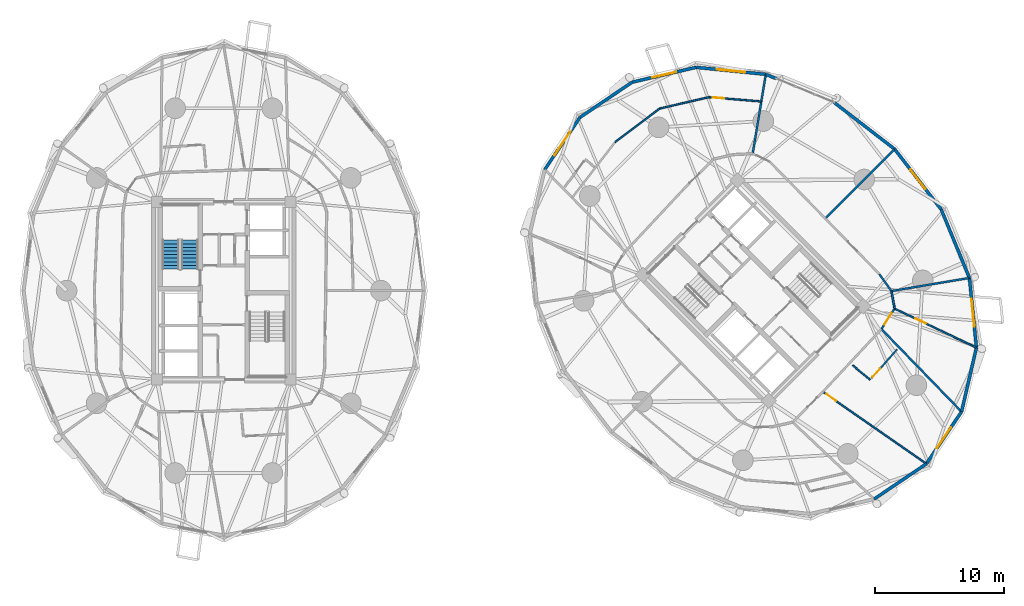
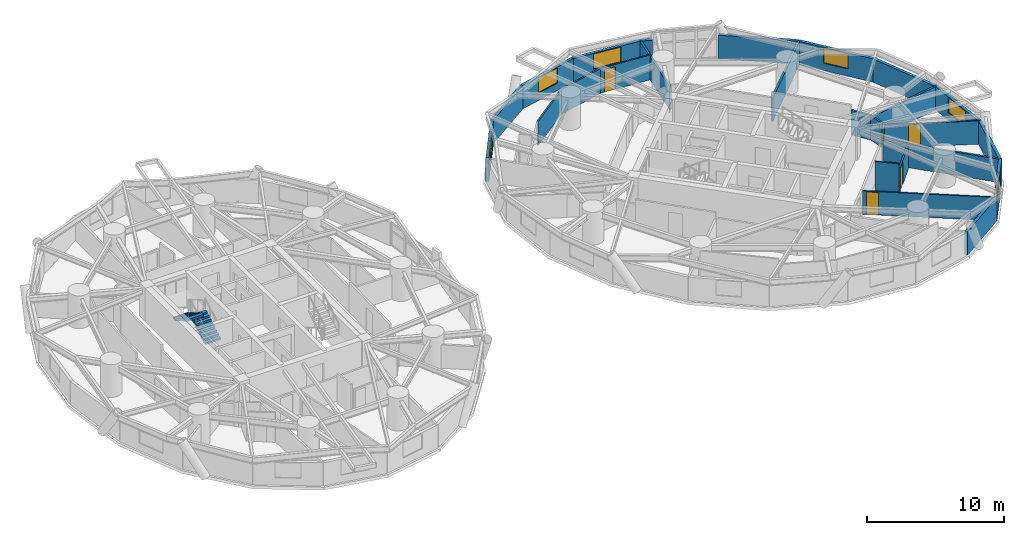
# One storey, part 15 of 18: 26 walls, 6 windows, 5 doors, 2 stair flights, 11 openings, 1 element without a shape of its own.
"""IFC4 building model written with IfcOpenShell, lengths in metres."""

from ifc_helpers import new_model, si_unit, direction, frame, frame_2d, origin, place, context, subcontext, project, spatial, polyline, rectangle, outline, extrude, source, transform, mapped, material, layer, layer_set, type_object, element, fill, aggregate, save


model = new_model("IFC4")

# Units and contexts
model_context = context("Model", 3, precision=1e-05, world=origin(), true_north=direction((0.0, 1.0)))
body_context = subcontext(model_context, "Body", "Model", "MODEL_VIEW")
ifc_project = project(units=[si_unit("LENGTHUNIT", "METRE"), si_unit("AREAUNIT", "SQUARE_METRE"), si_unit("VOLUMEUNIT", "CUBIC_METRE"), si_unit("PLANEANGLEUNIT", "RADIAN"), si_unit("MASSUNIT", "GRAM", prefix="KILO")], contexts=[model_context])

# Site, building, storey
site_placement = place(None, origin())
site = spatial("IfcSite", under=ifc_project, at=site_placement, CompositionType="ELEMENT")
building_placement = place(site_placement, origin())
building = spatial("IfcBuilding", under=site, at=building_placement, Name="Cununo Teusaquillo Station Towers", CompositionType="ELEMENT")
storey_placement = place(building_placement, frame((0.0, 0.0, 45.280029296875)))
storey = spatial("IfcBuildingStorey", under=building, at=storey_placement, Name="L13", CompositionType="ELEMENT", Elevation=45.280029296875)

# Walls
ifc_material_1 = material(Name="Precast concrete C40/50", Category="concrete")
ifc_layer_1 = layer(ifc_material_1, 0.239990234375)
ifc_layer_set_1 = layer_set([ifc_layer_1], Name="Precast concrete C40/50")
wall_type_1 = type_object("IfcWallType", Name="WL-EXT-240", PredefinedType="SOLIDWALL", material=ifc_layer_set_1)
wall_1_placement = place(storey_placement, frame((63.77783203125, 39.068115234375, 0.0), z_axis=(0.0, 0.0, 1.0), x_axis=(0.792020182601, -0.610494906082, 0.0)))
element("IfcWall", 1, at=wall_1_placement, inside=storey, type_object=wall_type_1, Name="L13 Tower B Exterior Facade Wall C00", PredefinedType="SOLIDWALL", context=body_context, shape_type="SweptSolid", body=[
    extrude(rectangle(XDim=5.9111328125, YDim=0.239990234375, at=frame_2d((2.95556640625, 0.0))), origin(), (0.0, 0.0, 1.0), 2.072998046875),
])
wall_2_placement = place(storey_placement, frame((58.48193359375, 41.2509765625, 0.0), z_axis=(0.0, 0.0, 1.0), x_axis=(0.924556017656, -0.381046152345, 0.0)))
element("IfcWall", 2, at=wall_2_placement, inside=storey, type_object=wall_type_1, Name="L13 Tower B Column Pier Cladding Wall C01-PA", PredefinedType="SOLIDWALL", context=body_context, shape_type="SweptSolid", body=[
    extrude(rectangle(XDim=0.8701171875, YDim=0.239990234375, at=frame_2d((0.43505859375, 0.0))), origin(), (0.0, 0.0, 1.0), 2.072998046875),
])

# Wall, opening, window
wall_3_placement = place(storey_placement, frame((53.08984375, 41.7939453125, 0.0), z_axis=(0.0, 0.0, 1.0), x_axis=(0.994968263437, -0.100190592135, 0.0)))
wall_3 = element("IfcWall", 3, at=wall_3_placement, inside=storey, type_object=wall_type_1, Name="L13 Tower B Exterior Facade Wall C02", PredefinedType="SOLIDWALL", context=body_context, shape_type="SweptSolid", body=[
    extrude(rectangle(XDim=5.41943359375, YDim=0.239990234375, at=frame_2d((2.709716796875, 0.0))), origin(), (0.0, 0.0, 1.0), 2.072998046875),
])
shared_shape_1 = source(origin(), body_context, "Body", "SweptSolid", [
    extrude(rectangle(XDim=2.199951171875, YDim=1.35009765625, at=frame_2d((1.10009765625, 0.675048828125))), frame((0.0, 0.1298828125, 0.0), z_axis=(0.0, -1.0, 0.0), x_axis=(1.0, 0.0, 0.0)), (0.0, 0.0, 1.0), 0.260009765625),
])
opening_1_placement = place(wall_3_placement, frame((1.610107421875, 0.0, 0.64990234375)))
opening_1 = element("IfcOpeningElement", 4, at=opening_1_placement, cuts=wall_3, Name="Opening WN-01", PredefinedType="OPENING", context=body_context, shape_type="MappedRepresentation", body=[
    mapped(shared_shape_1, transform((0.0, 0.0, 0.0), x_axis=(1.0, 0.0, 0.0), y_axis=(0.0, 1.0, 0.0), z_axis=(0.0, 0.0, 1.0), scale=1.0)),
])
ifc_material_2 = material(Name="Ceramic-fritted dark low-E double glazing", Category="glass")
window_type_1 = type_object("IfcWindowType", Name="WIN-FRIT-2200", PartitioningType="DOUBLE_PANEL_VERTICAL", PredefinedType="WINDOW", material=ifc_material_2)
shared_shape_2 = source(origin(), body_context, "Body", "SweptSolid", [
    extrude(rectangle(XDim=2.199951171875, YDim=1.35009765625, at=frame_2d((1.10009765625, 0.675048828125))), frame((0.0, 0.030029296875, 0.0), z_axis=(0.0, -1.0, 0.0), x_axis=(1.0, 0.0, 0.0)), (0.0, 0.0, 1.0), 0.06005859375),
])
window_1_placement = place(opening_1_placement, origin())
window_1 = element("IfcWindow", 5, at=window_1_placement, inside=storey, type_object=window_type_1, Name="L13 Tower B Facade Window C02", OverallHeight=1.35009765625, OverallWidth=2.199951171875, PartitioningType="DOUBLE_PANEL_VERTICAL", PredefinedType="WINDOW", context=body_context, shape_type="MappedRepresentation", body=[
    mapped(shared_shape_2, transform((0.0, 0.0, 0.0), x_axis=(1.0, 0.0, 0.0), y_axis=(0.0, 1.0, 0.0), z_axis=(0.0, 0.0, 1.0), scale=1.0)),
])
fill(opening_1, window_1)

wall_4_placement = place(storey_placement, frame((48.12939453125, 40.64404296875, 0.0), z_axis=(0.0, 0.0, 1.0), x_axis=(0.974167686491, 0.22582585901, 0.0)))
wall_4 = element("IfcWall", 6, at=wall_4_placement, inside=storey, type_object=wall_type_1, Name="L13 Tower B Exterior Facade Wall C03", PredefinedType="SOLIDWALL", context=body_context, shape_type="SweptSolid", body=[
    extrude(rectangle(XDim=5.092041015625, YDim=0.239990234375, at=frame_2d((2.5458984375, 0.0))), origin(), (0.0, 0.0, 1.0), 2.072998046875),
])
shared_shape_3 = source(origin(), body_context, "Body", "SweptSolid", [
    extrude(rectangle(XDim=1.89990234375, YDim=1.35009765625, at=frame_2d((0.949951171875, 0.675048828125))), frame((0.0, 0.1298828125, 0.0), z_axis=(0.0, -1.0, 0.0), x_axis=(1.0, 0.0, 0.0)), (0.0, 0.0, 1.0), 0.260009765625),
])
opening_2_placement = place(wall_4_placement, frame((1.595947265625, 0.0, 0.64990234375)))
opening_2 = element("IfcOpeningElement", 7, at=opening_2_placement, cuts=wall_4, Name="Opening WN-02", PredefinedType="OPENING", context=body_context, shape_type="MappedRepresentation", body=[
    mapped(shared_shape_3, transform((0.0, 0.0, 0.0), x_axis=(1.0, 0.0, 0.0), y_axis=(0.0, 1.0, 0.0), z_axis=(0.0, 0.0, 1.0), scale=1.0)),
])
ifc_material_3 = material(Name="Operable acoustic tinted low-E double glazing", Category="glass")
window_type_2 = type_object("IfcWindowType", Name="WIN-OPER-1900", PartitioningType="DOUBLE_PANEL_VERTICAL", PredefinedType="WINDOW", material=ifc_material_3)
shared_shape_4 = source(origin(), body_context, "Body", "SweptSolid", [
    extrude(rectangle(XDim=1.89990234375, YDim=1.35009765625, at=frame_2d((0.949951171875, 0.675048828125))), frame((0.0, 0.030029296875, 0.0), z_axis=(0.0, -1.0, 0.0), x_axis=(1.0, 0.0, 0.0)), (0.0, 0.0, 1.0), 0.06005859375),
])
window_2_placement = place(opening_2_placement, origin())
window_2 = element("IfcWindow", 8, at=window_2_placement, inside=storey, type_object=window_type_2, Name="L13 Tower B Facade Window C03", OverallHeight=1.35009765625, OverallWidth=1.89990234375, PartitioningType="DOUBLE_PANEL_VERTICAL", PredefinedType="WINDOW", context=body_context, shape_type="MappedRepresentation", body=[
    mapped(shared_shape_4, transform((0.0, 0.0, 0.0), x_axis=(1.0, 0.0, 0.0), y_axis=(0.0, 1.0, 0.0), z_axis=(0.0, 0.0, 1.0), scale=1.0)),
])
fill(opening_2, window_2)

# Wall
wall_5_placement = place(storey_placement, frame((44.086181640625, 37.913818359375, 0.0), z_axis=(0.0, 0.0, 1.0), x_axis=(0.828748297084, 0.559621532896, 0.0)))
element("IfcWall", 9, at=wall_5_placement, inside=storey, type_object=wall_type_1, Name="L13 Tower B Exterior Facade Wall C04", PredefinedType="SOLIDWALL", context=body_context, shape_type="SweptSolid", body=[
    extrude(rectangle(XDim=4.878662109375, YDim=0.239990234375, at=frame_2d((2.439453125, 0.0))), origin(), (0.0, 0.0, 1.0), 2.072998046875),
])

# Wall, opening, window
wall_6_placement = place(storey_placement, frame((41.35595703125, 33.87060546875, 0.0), z_axis=(0.0, 0.0, 1.0), x_axis=(0.559621532896, 0.828748297084, 0.0)))
wall_6 = element("IfcWall", 10, at=wall_6_placement, inside=storey, type_object=wall_type_1, Name="L13 Tower B Exterior Facade Wall C05", PredefinedType="SOLIDWALL", context=body_context, shape_type="SweptSolid", body=[
    extrude(rectangle(XDim=4.878662109375, YDim=0.239990234375, at=frame_2d((2.439453125, 0.0))), origin(), (0.0, 0.0, 1.0), 2.072998046875),
])
opening_3_placement = place(wall_6_placement, frame((1.339111328125, 0.0, 0.64990234375)))
opening_3 = element("IfcOpeningElement", 11, at=opening_3_placement, cuts=wall_6, Name="Opening WN-01", PredefinedType="OPENING", context=body_context, shape_type="MappedRepresentation", body=[
    mapped(shared_shape_1, transform((0.0, 0.0, 0.0), x_axis=(1.0, 0.0, 0.0), y_axis=(0.0, 1.0, 0.0), z_axis=(0.0, 0.0, 1.0), scale=1.0)),
])
window_3_placement = place(opening_3_placement, origin())
window_3 = element("IfcWindow", 12, at=window_3_placement, inside=storey, type_object=window_type_1, Name="L13 Tower B Facade Window C05", OverallHeight=1.35009765625, OverallWidth=2.199951171875, PartitioningType="DOUBLE_PANEL_VERTICAL", PredefinedType="WINDOW", context=body_context, shape_type="MappedRepresentation", body=[
    mapped(shared_shape_2, transform((0.0, 0.0, 0.0), x_axis=(1.0, 0.0, 0.0), y_axis=(0.0, 1.0, 0.0), z_axis=(0.0, 0.0, 1.0), scale=1.0)),
])
fill(opening_3, window_3)

# Wall
wall_7_placement = place(storey_placement, frame((70.913818359375, 11.086181640625, 0.0), z_axis=(0.0, 0.0, 1.0), x_axis=(-0.828748297084, -0.559621532896, 0.0)))
element("IfcWall", 13, at=wall_7_placement, inside=storey, type_object=wall_type_1, Name="L13 Tower B Exterior Facade Wall C14", PredefinedType="SOLIDWALL", context=body_context, shape_type="SweptSolid", body=[
    extrude(rectangle(XDim=4.878662109375, YDim=0.239990234375, at=frame_2d((2.439453125, 0.0))), origin(), (0.0, 0.0, 1.0), 2.072998046875),
])

# Wall, opening, window
wall_8_placement = place(storey_placement, frame((73.64404296875, 15.12939453125, 0.0), z_axis=(0.0, 0.0, 1.0), x_axis=(-0.559621532896, -0.828748297084, 0.0)))
wall_8 = element("IfcWall", 14, at=wall_8_placement, inside=storey, type_object=wall_type_1, Name="L13 Tower B Exterior Facade Wall C15", PredefinedType="SOLIDWALL", context=body_context, shape_type="SweptSolid", body=[
    extrude(rectangle(XDim=4.878662109375, YDim=0.239990234375, at=frame_2d((2.439453125, 0.0))), origin(), (0.0, 0.0, 1.0), 2.072998046875),
])
opening_4_placement = place(wall_8_placement, frame((1.489013671875, 0.0, 0.64990234375)))
opening_4 = element("IfcOpeningElement", 15, at=opening_4_placement, cuts=wall_8, Name="Opening WN-02", PredefinedType="OPENING", context=body_context, shape_type="MappedRepresentation", body=[
    mapped(shared_shape_3, transform((0.0, 0.0, 0.0), x_axis=(1.0, 0.0, 0.0), y_axis=(0.0, 1.0, 0.0), z_axis=(0.0, 0.0, 1.0), scale=1.0)),
])
window_4_placement = place(opening_4_placement, origin())
window_4 = element("IfcWindow", 16, at=window_4_placement, inside=storey, type_object=window_type_2, Name="L13 Tower B Facade Window C15", OverallHeight=1.35009765625, OverallWidth=1.89990234375, PartitioningType="DOUBLE_PANEL_VERTICAL", PredefinedType="WINDOW", context=body_context, shape_type="MappedRepresentation", body=[
    mapped(shared_shape_4, transform((0.0, 0.0, 0.0), x_axis=(1.0, 0.0, 0.0), y_axis=(0.0, 1.0, 0.0), z_axis=(0.0, 0.0, 1.0), scale=1.0)),
])
fill(opening_4, window_4)

# Wall
wall_9_placement = place(storey_placement, frame((74.7939453125, 20.08984375, 0.0), z_axis=(0.0, 0.0, 1.0), x_axis=(-0.22582585901, -0.974167686491, 0.0)))
element("IfcWall", 17, at=wall_9_placement, inside=storey, type_object=wall_type_1, Name="L13 Tower B Exterior Facade Wall C16", PredefinedType="SOLIDWALL", context=body_context, shape_type="SweptSolid", body=[
    extrude(rectangle(XDim=5.092041015625, YDim=0.239990234375, at=frame_2d((2.5458984375, 0.0))), origin(), (0.0, 0.0, 1.0), 2.072998046875),
])

# Wall, opening, window
wall_10_placement = place(storey_placement, frame((74.2509765625, 25.48193359375, 0.0), z_axis=(0.0, 0.0, 1.0), x_axis=(0.100190592135, -0.994968263437, 0.0)))
wall_10 = element("IfcWall", 18, at=wall_10_placement, inside=storey, type_object=wall_type_1, Name="L13 Tower B Exterior Facade Wall C17", PredefinedType="SOLIDWALL", context=body_context, shape_type="SweptSolid", body=[
    extrude(rectangle(XDim=5.41943359375, YDim=0.239990234375, at=frame_2d((2.709716796875, 0.0))), origin(), (0.0, 0.0, 1.0), 2.072998046875),
])
opening_5_placement = place(wall_10_placement, frame((1.610107421875, 0.0, 0.64990234375)))
opening_5 = element("IfcOpeningElement", 19, at=opening_5_placement, cuts=wall_10, Name="Opening WN-01", PredefinedType="OPENING", context=body_context, shape_type="MappedRepresentation", body=[
    mapped(shared_shape_1, transform((0.0, 0.0, 0.0), x_axis=(1.0, 0.0, 0.0), y_axis=(0.0, 1.0, 0.0), z_axis=(0.0, 0.0, 1.0), scale=1.0)),
])
window_5_placement = place(opening_5_placement, origin())
window_5 = element("IfcWindow", 20, at=window_5_placement, inside=storey, type_object=window_type_1, Name="L13 Tower B Facade Window C17", OverallHeight=1.35009765625, OverallWidth=2.199951171875, PartitioningType="DOUBLE_PANEL_VERTICAL", PredefinedType="WINDOW", context=body_context, shape_type="MappedRepresentation", body=[
    mapped(shared_shape_2, transform((0.0, 0.0, 0.0), x_axis=(1.0, 0.0, 0.0), y_axis=(0.0, 1.0, 0.0), z_axis=(0.0, 0.0, 1.0), scale=1.0)),
])
fill(opening_5, window_5)

# Wall
wall_11_placement = place(storey_placement, frame((72.068115234375, 30.77783203125, 0.0), z_axis=(0.0, 0.0, 1.0), x_axis=(0.381077764176, -0.924542988536, 0.0)))
element("IfcWall", 21, at=wall_11_placement, inside=storey, type_object=wall_type_1, Name="L13 Tower B Exterior Facade Wall C18", PredefinedType="SOLIDWALL", context=body_context, shape_type="SweptSolid", body=[
    extrude(rectangle(XDim=5.72802734375, YDim=0.239990234375, at=frame_2d((2.864013671875, 0.0))), origin(), (0.0, 0.0, 1.0), 2.072998046875),
])

# Wall, opening, window
wall_12_placement = place(storey_placement, frame((68.45947265625, 35.45947265625, 0.0), z_axis=(0.0, 0.0, 1.0), x_axis=(0.610494906082, -0.792020182601, 0.0)))
wall_12 = element("IfcWall", 22, at=wall_12_placement, inside=storey, type_object=wall_type_1, Name="L13 Tower B Exterior Facade Wall C19", PredefinedType="SOLIDWALL", context=body_context, shape_type="SweptSolid", body=[
    extrude(rectangle(XDim=5.9111328125, YDim=0.239990234375, at=frame_2d((2.95556640625, 0.0))), origin(), (0.0, 0.0, 1.0), 2.072998046875),
])
opening_6_placement = place(wall_12_placement, frame((2.0048828125, 0.0, 0.64990234375)))
opening_6 = element("IfcOpeningElement", 23, at=opening_6_placement, cuts=wall_12, Name="Opening WN-02", PredefinedType="OPENING", context=body_context, shape_type="MappedRepresentation", body=[
    mapped(shared_shape_3, transform((0.0, 0.0, 0.0), x_axis=(1.0, 0.0, 0.0), y_axis=(0.0, 1.0, 0.0), z_axis=(0.0, 0.0, 1.0), scale=1.0)),
])
window_6_placement = place(opening_6_placement, origin())
window_6 = element("IfcWindow", 24, at=window_6_placement, inside=storey, type_object=window_type_2, Name="L13 Tower B Facade Window C19", OverallHeight=1.35009765625, OverallWidth=1.89990234375, PartitioningType="DOUBLE_PANEL_VERTICAL", PredefinedType="WINDOW", context=body_context, shape_type="MappedRepresentation", body=[
    mapped(shared_shape_4, transform((0.0, 0.0, 0.0), x_axis=(1.0, 0.0, 0.0), y_axis=(0.0, 1.0, 0.0), z_axis=(0.0, 0.0, 1.0), scale=1.0)),
])
fill(opening_6, window_6)

# Wall, opening, door
ifc_material_4 = material(Name="Fire-rated gypsum plasterboard partition assembly", Category="gypsum")
ifc_layer_2 = layer(ifc_material_4, 0.125)
ifc_layer_set_2 = layer_set([ifc_layer_2], Name="Fire-rated gypsum plasterboard partition assembly")
wall_type_2 = type_object("IfcWallType", Name="WL-PART-125", PredefinedType="PARTITIONING", material=ifc_layer_set_2)
wall_13_placement = place(storey_placement, frame((58.134765625, 39.150390625, 0.0), z_axis=(0.0, 0.0, 1.0), x_axis=(-0.996661360768, 0.081646383578, 0.0)))
wall_13 = element("IfcWall", 25, at=wall_13_placement, inside=storey, type_object=wall_type_2, Name="L13 Tower B Royal Corner Hotel Suite Concentric Partition Wall C02", PredefinedType="PARTITIONING", context=body_context, shape_type="SweptSolid", body=[
    extrude(rectangle(XDim=4.07275390625, YDim=0.125, at=frame_2d((2.036376953125, 0.0))), origin(), (0.0, 0.0, 1.0), 2.205078125),
])
shared_shape_5 = source(origin(), body_context, "Body", "SweptSolid", [
    extrude(rectangle(XDim=0.89990234375, YDim=2.0048828125, at=frame_2d((0.449951171875, 1.00244140625))), frame((0.0, 0.072509765625, 0.0), z_axis=(0.0, -1.0, 0.0), x_axis=(1.0, 0.0, 0.0)), (0.0, 0.0, 1.0), 0.14501953125),
])
opening_7_placement = place(wall_13_placement, frame((2.869140625, 0.0, 0.0)))
opening_7 = element("IfcOpeningElement", 26, at=opening_7_placement, cuts=wall_13, Name="Opening D-IN1", PredefinedType="OPENING", context=body_context, shape_type="MappedRepresentation", body=[
    mapped(shared_shape_5, transform((0.0, 0.0, 0.0), x_axis=(1.0, 0.0, 0.0), y_axis=(0.0, 1.0, 0.0), z_axis=(0.0, 0.0, 1.0), scale=1.0)),
])
ifc_material_5 = material(Name="Acoustic solid-core hardwood leaf assembly", Category="wood")
door_type_1 = type_object("IfcDoorType", Name="DR-INT-900", OperationType="NOTDEFINED", PredefinedType="DOOR", material=ifc_material_5)
shared_shape_6 = source(origin(), body_context, "Body", "SweptSolid", [
    extrude(rectangle(XDim=0.89990234375, YDim=2.0048828125, at=frame_2d((0.449951171875, 1.00244140625))), frame((0.0, 0.02490234375, 0.0), z_axis=(0.0, -1.0, 0.0), x_axis=(1.0, 0.0, 0.0)), (0.0, 0.0, 1.0), 0.050048828125),
])
door_1_placement = place(opening_7_placement, origin())
door_1 = element("IfcDoor", 27, at=door_1_placement, inside=storey, type_object=door_type_1, Name="L13 Tower B Royal Corner Hotel Suite Connecting Door", OperationType="SINGLE_SWING_RIGHT", OverallHeight=2.0048828125, OverallWidth=0.89990234375, PredefinedType="DOOR", context=body_context, shape_type="MappedRepresentation", body=[
    mapped(shared_shape_6, transform((0.0, 0.0, 0.0), x_axis=(1.0, 0.0, 0.0), y_axis=(0.0, 1.0, 0.0), z_axis=(0.0, 0.0, 1.0), scale=1.0)),
])
fill(opening_7, door_1)

# Walls
wall_14_placement = place(storey_placement, frame((54.07568359375, 39.48291015625, 0.0), z_axis=(0.0, 0.0, 1.0), x_axis=(-0.974339463782, -0.225083560744, 0.0)))
element("IfcWall", 28, at=wall_14_placement, inside=storey, type_object=wall_type_2, Name="L13 Tower B Royal Corner Hotel Suite Concentric Partition Wall C03", PredefinedType="PARTITIONING", context=body_context, shape_type="SweptSolid", body=[
    extrude(rectangle(XDim=3.8994140625, YDim=0.125, at=frame_2d((1.94970703125, 0.0))), origin(), (0.0, 0.0, 1.0), 2.205078125),
])
wall_15_placement = place(storey_placement, frame((50.2763671875, 38.605224609375, 0.0), z_axis=(0.0, 0.0, 1.0), x_axis=(-0.798927876279, -0.60142684385, 0.0)))
element("IfcWall", 29, at=wall_15_placement, inside=storey, type_object=wall_type_2, Name="L13 Tower B Royal Corner Hotel Suite Concentric Partition Wall C04", PredefinedType="PARTITIONING", context=body_context, shape_type="SweptSolid", body=[
    extrude(rectangle(XDim=4.35009765625, YDim=0.125, at=frame_2d((2.175048828125, 0.0))), origin(), (0.0, 0.0, 1.0), 2.158935546875),
])

# Wall, opening, door
wall_16_placement = place(storey_placement, frame((62.902587890625, 16.66650390625, 0.0), z_axis=(0.0, 0.0, 1.0), x_axis=(0.820761665638, -0.571270766116, 0.0)))
wall_16 = element("IfcWall", 30, at=wall_16_placement, inside=storey, type_object=wall_type_2, Name="L13 Tower B Governor Hospitality Suite Suite Subdividing Wall", PredefinedType="PARTITIONING", context=body_context, shape_type="SweptSolid", body=[
    extrude(rectangle(XDim=9.743408203125, YDim=0.125, at=frame_2d((4.87158203125, 0.0))), origin(), (0.0, 0.0, 1.0), 2.072998046875),
])
opening_8_placement = place(wall_16_placement, frame((0.330078125, 0.0, 0.0)))
opening_8 = element("IfcOpeningElement", 31, at=opening_8_placement, cuts=wall_16, Name="Opening D-IN1", PredefinedType="OPENING", context=body_context, shape_type="MappedRepresentation", body=[
    mapped(shared_shape_5, transform((0.0, 0.0, 0.0), x_axis=(1.0, 0.0, 0.0), y_axis=(0.0, 1.0, 0.0), z_axis=(0.0, 0.0, 1.0), scale=1.0)),
])
door_2_placement = place(opening_8_placement, origin())
door_2 = element("IfcDoor", 32, at=door_2_placement, inside=storey, type_object=door_type_1, Name="L13 Tower B Governor Hospitality Suite Suite Connecting Door", OperationType="SINGLE_SWING_LEFT", OverallHeight=2.0048828125, OverallWidth=0.89990234375, PredefinedType="DOOR", context=body_context, shape_type="MappedRepresentation", body=[
    mapped(shared_shape_6, transform((0.0, 0.0, 0.0), x_axis=(1.0, 0.0, 0.0), y_axis=(0.0, 1.0, 0.0), z_axis=(0.0, 0.0, 1.0), scale=1.0)),
])
fill(opening_8, door_2)

# Wall
wall_17_placement = place(storey_placement, frame((65.202392578125, 18.721435546875, 0.0), z_axis=(0.0, 0.0, 1.0), x_axis=(0.769814202386, -0.638268042287, 0.0)))
element("IfcWall", 33, at=wall_17_placement, inside=storey, type_object=wall_type_2, Name="L13 Tower B S05 En-suite Side Wall", PredefinedType="PARTITIONING", context=body_context, shape_type="SweptSolid", body=[
    extrude(rectangle(XDim=1.768798828125, YDim=0.125, at=frame_2d((0.88427734375, 0.0))), origin(), (0.0, 0.0, 1.0), 2.635009765625),
])

# Wall, opening, door
wall_18_placement = place(storey_placement, frame((66.667236328125, 17.70947265625, 0.0), z_axis=(0.0, 0.0, 1.0), x_axis=(0.662510581678, 0.749052554341, 0.0)))
wall_18 = element("IfcWall", 34, at=wall_18_placement, inside=storey, type_object=wall_type_2, Name="L13 Tower B S05 En-suite Back Wall", PredefinedType="PARTITIONING", context=body_context, shape_type="SweptSolid", body=[
    extrude(rectangle(XDim=2.99609375, YDim=0.125, at=frame_2d((1.498046875, 0.0))), origin(), (0.0, 0.0, 1.0), 2.158935546875),
])
opening_9_placement = place(wall_18_placement, frame((0.1201171875, 0.0, 0.0)))
opening_9 = element("IfcOpeningElement", 35, at=opening_9_placement, cuts=wall_18, Name="Opening D-IN1", PredefinedType="OPENING", context=body_context, shape_type="MappedRepresentation", body=[
    mapped(shared_shape_5, transform((0.0, 0.0, 0.0), x_axis=(1.0, 0.0, 0.0), y_axis=(0.0, 1.0, 0.0), z_axis=(0.0, 0.0, 1.0), scale=1.0)),
])
door_3_placement = place(opening_9_placement, origin())
door_3 = element("IfcDoor", 36, at=door_3_placement, inside=storey, type_object=door_type_1, Name="L13 Tower B S05 En-suite Bathroom Door", OperationType="SINGLE_SWING_RIGHT", OverallHeight=2.0048828125, OverallWidth=0.89990234375, PredefinedType="DOOR", context=body_context, shape_type="MappedRepresentation", body=[
    mapped(shared_shape_6, transform((0.0, 0.0, 0.0), x_axis=(1.0, 0.0, 0.0), y_axis=(0.0, 1.0, 0.0), z_axis=(0.0, 0.0, 1.0), scale=1.0)),
])
fill(opening_9, door_3)

wall_19_placement = place(storey_placement, frame((68.45556640625, 23.109619140625, 0.0), z_axis=(0.0, 0.0, 1.0), x_axis=(0.902430819297, -0.430834790125, 0.0)))
wall_19 = element("IfcWall", 37, at=wall_19_placement, inside=storey, type_object=wall_type_2, Name="L13 Tower B Hotel Housekeeping & Linen Pantry Suite Subdividing Wall", PredefinedType="PARTITIONING", context=body_context, shape_type="SweptSolid", body=[
    extrude(rectangle(XDim=7.001708984375, YDim=0.125, at=frame_2d((3.5009765625, 0.0))), origin(), (0.0, 0.0, 1.0), 2.072998046875),
])
opening_10_placement = place(wall_19_placement, frame((1.800048828125, 0.0, 0.0)))
opening_10 = element("IfcOpeningElement", 38, at=opening_10_placement, cuts=wall_19, Name="Opening D-IN1", PredefinedType="OPENING", context=body_context, shape_type="MappedRepresentation", body=[
    mapped(shared_shape_5, transform((0.0, 0.0, 0.0), x_axis=(1.0, 0.0, 0.0), y_axis=(0.0, 1.0, 0.0), z_axis=(0.0, 0.0, 1.0), scale=1.0)),
])
door_4_placement = place(opening_10_placement, origin())
door_4 = element("IfcDoor", 39, at=door_4_placement, inside=storey, type_object=door_type_1, Name="L13 Tower B Hotel Housekeeping & Linen Pantry Suite Connecting Door", OperationType="SINGLE_SWING_RIGHT", OverallHeight=2.0048828125, OverallWidth=0.89990234375, PredefinedType="DOOR", context=body_context, shape_type="MappedRepresentation", body=[
    mapped(shared_shape_6, transform((0.0, 0.0, 0.0), x_axis=(1.0, 0.0, 0.0), y_axis=(0.0, 1.0, 0.0), z_axis=(0.0, 0.0, 1.0), scale=1.0)),
])
fill(opening_10, door_4)

ifc_material_6 = material(Name="Fire-rated gypsum plasterboard partition assembly", Category="gypsum")
ifc_layer_3 = layer(ifc_material_6, 0.14990234375)
ifc_layer_set_3 = layer_set([ifc_layer_3], Name="Fire-rated gypsum plasterboard partition assembly")
wall_type_3 = type_object("IfcWallType", Name="WL-PART-150", PredefinedType="PARTITIONING", material=ifc_layer_set_3)
wall_20_placement = place(storey_placement, frame((67.4345703125, 21.521484375, 0.0), z_axis=(0.0, 0.0, 1.0), x_axis=(0.540777197838, 0.841165870859, 0.0)))
wall_20 = element("IfcWall", 40, at=wall_20_placement, inside=storey, type_object=wall_type_3, Name="L13 Tower B Corridor Ring Wall C16", PredefinedType="PARTITIONING", context=body_context, shape_type="SweptSolid", body=[
    extrude(rectangle(XDim=1.887939453125, YDim=0.14990234375, at=frame_2d((0.94384765625, 0.0))), origin(), (0.0, 0.0, 1.0), 2.205078125),
])
shared_shape_7 = source(origin(), body_context, "Body", "SweptSolid", [
    extrude(rectangle(XDim=1.050048828125, YDim=2.014892578125, at=frame_2d((0.52490234375, 1.00732421875))), frame((0.0, 0.0849609375, 0.0), z_axis=(0.0, -1.0, 0.0), x_axis=(1.0, 0.0, 0.0)), (0.0, 0.0, 1.0), 0.169921875),
])
opening_11_placement = place(wall_20_placement, frame((0.4189453125, 0.0, 0.0)))
opening_11 = element("IfcOpeningElement", 41, at=opening_11_placement, cuts=wall_20, Name="Opening D-SU1", PredefinedType="OPENING", context=body_context, shape_type="MappedRepresentation", body=[
    mapped(shared_shape_7, transform((0.0, 0.0, 0.0), x_axis=(1.0, 0.0, 0.0), y_axis=(0.0, 1.0, 0.0), z_axis=(0.0, 0.0, 1.0), scale=1.0)),
])
ifc_material_7 = material(Name="Acoustic solid-core hardwood leaf assembly", Category="wood")
door_type_2 = type_object("IfcDoorType", Name="DR-SUITE-1050", OperationType="NOTDEFINED", PredefinedType="DOOR", material=ifc_material_7)
shared_shape_8 = source(origin(), body_context, "Body", "SweptSolid", [
    extrude(rectangle(XDim=1.050048828125, YDim=2.014892578125, at=frame_2d((0.52490234375, 1.00732421875))), frame((0.0, 0.02490234375, 0.0), z_axis=(0.0, -1.0, 0.0), x_axis=(1.0, 0.0, 0.0)), (0.0, 0.0, 1.0), 0.050048828125),
])
door_5_placement = place(opening_11_placement, origin())
door_5 = element("IfcDoor", 42, at=door_5_placement, inside=storey, type_object=door_type_2, Name="L13 Tower B Hotel Housekeeping & Linen Pantry Entrance Door", OperationType="SINGLE_SWING_LEFT", OverallHeight=2.014892578125, OverallWidth=1.050048828125, PredefinedType="DOOR", context=body_context, shape_type="MappedRepresentation", body=[
    mapped(shared_shape_8, transform((0.0, 0.0, 0.0), x_axis=(1.0, 0.0, 0.0), y_axis=(0.0, 1.0, 0.0), z_axis=(0.0, 0.0, 1.0), scale=1.0)),
])
fill(opening_11, door_5)

# Walls
wall_21_placement = place(storey_placement, frame((68.45556640625, 23.109619140625, 0.0), z_axis=(0.0, 0.0, 1.0), x_axis=(-0.1772522795, 0.984165448191, 0.0)))
element("IfcWall", 43, at=wall_21_placement, inside=storey, type_object=wall_type_3, Name="L13 Tower B Corridor Ring Wall C17", PredefinedType="PARTITIONING", context=body_context, shape_type="SweptSolid", body=[
    extrude(rectangle(XDim=1.381591796875, YDim=0.14990234375, at=frame_2d((0.69091796875, 0.0))), origin(), (0.0, 0.0, 1.0), 2.158935546875),
])
wall_22_placement = place(storey_placement, frame((68.210693359375, 24.46923828125, 0.0), z_axis=(0.0, 0.0, 1.0), x_axis=(-0.583012141368, 0.812463441034, 0.0)))
element("IfcWall", 44, at=wall_22_placement, inside=storey, type_object=wall_type_3, Name="L13 Tower B Corridor Ring Wall C18", PredefinedType="PARTITIONING", context=body_context, shape_type="SweptSolid", body=[
    extrude(rectangle(XDim=1.613037109375, YDim=0.14990234375, at=frame_2d((0.806640625, 0.0))), origin(), (0.0, 0.0, 1.0), 2.205078125),
])
ifc_material_8 = material(Name="Fire-rated gypsum plasterboard partition assembly", Category="gypsum")
ifc_layer_4 = layer(ifc_material_8, 0.159912109375)
ifc_layer_set_4 = layer_set([ifc_layer_4], Name="Fire-rated gypsum plasterboard partition assembly")
wall_type_4 = type_object("IfcWallType", Name="WL-PART-160", PredefinedType="PARTITIONING", material=ifc_layer_set_4)
wall_23_placement = place(storey_placement, frame((63.086181640625, 30.086181640625, 0.0), z_axis=(0.0, 0.0, 1.0), x_axis=(0.707106781187, 0.707106781187, 0.0)))
element("IfcWall", 45, at=wall_23_placement, inside=storey, type_object=wall_type_4, Name="L13 Tower B Radial Suite Partition R01", PredefinedType="PARTITIONING", context=body_context, shape_type="SweptSolid", body=[
    extrude(rectangle(XDim=7.578857421875, YDim=0.159912109375, at=frame_2d((3.78955078125, 0.0))), origin(), (0.0, 0.0, 1.0), 2.072998046875),
])
wall_24_placement = place(storey_placement, frame((57.466796875, 35.111328125, 0.0), z_axis=(0.0, 0.0, 1.0), x_axis=(0.163141505202, 0.986602680556, 0.0)))
element("IfcWall", 46, at=wall_24_placement, inside=storey, type_object=wall_type_4, Name="L13 Tower B Radial Suite Partition R02", PredefinedType="PARTITIONING", context=body_context, shape_type="SweptSolid", body=[
    extrude(rectangle(XDim=6.202880859375, YDim=0.159912109375, at=frame_2d((3.1015625, 0.0))), origin(), (0.0, 0.0, 1.0), 2.072998046875),
])
wall_25_placement = place(storey_placement, frame((67.4345703125, 21.521484375, 0.0), z_axis=(0.0, 0.0, 1.0), x_axis=(0.6962628802, -0.717786877601, 0.0)))
element("IfcWall", 47, at=wall_25_placement, inside=storey, type_object=wall_type_4, Name="L13 Tower B Radial Suite Partition R07", PredefinedType="PARTITIONING", context=body_context, shape_type="SweptSolid", body=[
    extrude(rectangle(XDim=8.892578125, YDim=0.159912109375, at=frame_2d((4.4462890625, 0.0))), origin(), (0.0, 0.0, 1.0), 2.072998046875),
])
wall_26_placement = place(storey_placement, frame((68.210693359375, 24.46923828125, 0.0), z_axis=(0.0, 0.0, 1.0), x_axis=(0.986231309699, 0.165371713934, 0.0)))
element("IfcWall", 48, at=wall_26_placement, inside=storey, type_object=wall_type_4, Name="L13 Tower B Radial Suite Partition R08", PredefinedType="PARTITIONING", context=body_context, shape_type="SweptSolid", body=[
    extrude(rectangle(XDim=6.1044921875, YDim=0.159912109375, at=frame_2d((3.05224609375, 0.0))), origin(), (0.0, 0.0, 1.0), 2.072998046875),
])

# Stair, stair flights
ifc_material_9 = material(Name="Concrete C50/60", Category="concrete")
stair_type = type_object("IfcStairType", Name="ST-TWR-1300", PredefinedType="HALF_TURN_STAIR", material=ifc_material_9)
stair_placement = place(storey_placement, origin())
stair = element("IfcStair", 49, at=stair_placement, inside=storey, type_object=stair_type, Name="L13 Tower A Protected Core Exit Stair 1", PredefinedType="HALF_TURN_STAIR")
ifc_material_10 = material(Name="Concrete C50/60", Category="concrete")
stair_flight_type = type_object("IfcStairFlightType", Name="SFL-TWR-1300", PredefinedType="STRAIGHT", material=ifc_material_10)
stair_flight_1_placement = place(storey_placement, frame((13.8701171875, 26.169921875, 0.0), z_axis=(0.0, 0.0, 1.0), x_axis=(0.0, 1.0, 0.0)))
stair_flight_1 = element("IfcStairFlight", 50, at=stair_flight_1_placement, type_object=stair_flight_type, Name="ST-T1-1 flight 1", NumberOfRisers=9, NumberOfTreads=8, PredefinedType="STRAIGHT", RiserHeight=0.161666667, TreadLength=0.28, context=body_context, shape_type="SweptSolid", body=[
    extrude(outline(polyline([(0.0, 0.0), (0.0, 0.16162109375), (0.280029296875, 0.16162109375), (0.280029296875, 0.3232421875), (0.56005859375, 0.3232421875), (0.56005859375, 0.485107421875), (0.840087890625, 0.485107421875), (0.840087890625, 0.646728515625), (1.1201171875, 0.646728515625), (1.1201171875, 0.808349609375), (1.39990234375, 0.808349609375), (1.39990234375, 0.969970703125), (1.679931640625, 0.969970703125), (1.679931640625, 1.131591796875), (1.9599609375, 1.131591796875), (1.9599609375, 1.293212890625), (2.239990234375, 1.293212890625), (2.239990234375, 1.455078125), (2.239990234375, 1.1201171875), (0.2998046875, 0.0), (0.0, 0.0)])), frame((0.0, 0.64990234375, 0.0), z_axis=(0.0, -1.0, 0.0), x_axis=(1.0, 0.0, 0.0)), (0.0, 0.0, 1.0), 1.300048828125),
])
stair_flight_2_placement = place(storey_placement, frame((12.409912109375, 28.409912109375, 1.455078125), z_axis=(0.0, 0.0, 1.0), x_axis=(0.0, -1.0, 0.0)))
stair_flight_2 = element("IfcStairFlight", 51, at=stair_flight_2_placement, type_object=stair_flight_type, Name="ST-T1-1 flight 2", NumberOfRisers=9, NumberOfTreads=8, PredefinedType="STRAIGHT", RiserHeight=0.161666667, TreadLength=0.28, context=body_context, shape_type="SweptSolid", body=[
    extrude(outline(polyline([(0.0, 0.0), (0.0, 0.16162109375), (0.280029296875, 0.16162109375), (0.280029296875, 0.3232421875), (0.56005859375, 0.3232421875), (0.56005859375, 0.485107421875), (0.840087890625, 0.485107421875), (0.840087890625, 0.646728515625), (1.1201171875, 0.646728515625), (1.1201171875, 0.808349609375), (1.39990234375, 0.808349609375), (1.39990234375, 0.969970703125), (1.679931640625, 0.969970703125), (1.679931640625, 1.131591796875), (1.9599609375, 1.131591796875), (1.9599609375, 1.293212890625), (2.239990234375, 1.293212890625), (2.239990234375, 1.455078125), (2.239990234375, 1.1201171875), (0.2998046875, 0.0), (0.0, 0.0)])), frame((0.0, 0.64990234375, 0.0), z_axis=(0.0, -1.0, 0.0), x_axis=(1.0, 0.0, 0.0)), (0.0, 0.0, 1.0), 1.300048828125),
])
aggregate(stair, [stair_flight_1, stair_flight_2])

save(model, "model.ifc")
